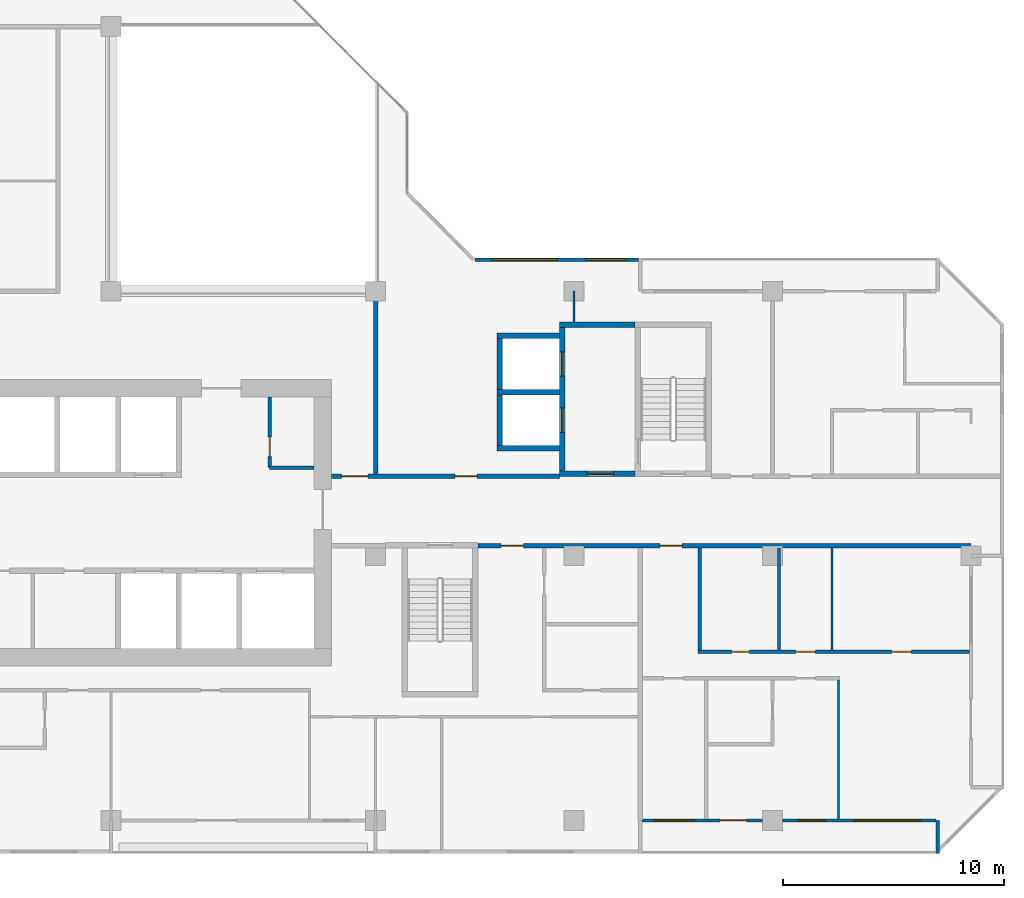
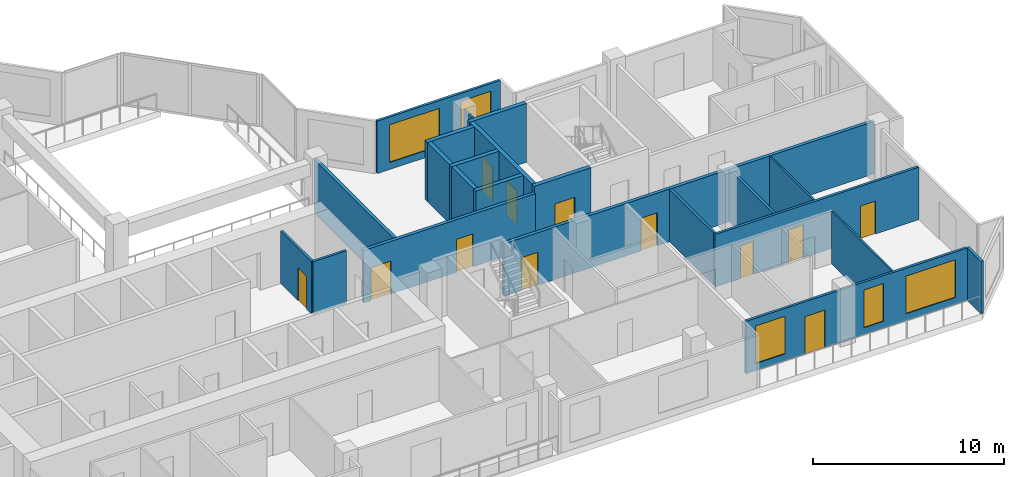
# One storey, part 7 of 15: 22 walls, 12 doors, 5 windows, 17 openings.
"""IFC4 building model written with IfcOpenShell, lengths in metres."""

from ifc_helpers import new_model, si_unit, direction, frame, frame_2d, origin, place, context, subcontext, project, spatial, rectangle, extrude, material, layer, layer_set, type_object, element, fill, save


model = new_model("IFC4")

# Units and contexts
model_context = context("Model", 3, precision=1e-05, world=origin(), true_north=direction((0.0, 1.0)))
body_context = subcontext(model_context, "Body", "Model", "MODEL_VIEW")
ifc_project = project(units=[si_unit("LENGTHUNIT", "METRE"), si_unit("AREAUNIT", "SQUARE_METRE"), si_unit("VOLUMEUNIT", "CUBIC_METRE"), si_unit("PLANEANGLEUNIT", "RADIAN"), si_unit("MASSUNIT", "GRAM", prefix="KILO")], contexts=[model_context])

# Site, building, storey
site_placement = place(None, origin())
site = spatial("IfcSite", under=ifc_project, at=site_placement, CompositionType="ELEMENT")
building_placement = place(site_placement, origin())
building = spatial("IfcBuilding", under=site, at=building_placement, Name="Chenar Terraces", CompositionType="ELEMENT")
storey_placement = place(building_placement, frame((0.0, 0.0, 176.14990234375)))
storey = spatial("IfcBuildingStorey", under=building, at=storey_placement, Name="L40", CompositionType="ELEMENT", Elevation=176.14990234375)

# Wall, opening, door
ifc_material_1 = material(Name="Gypsum board on steel studs", Category="steel")
ifc_layer_1 = layer(ifc_material_1, 0.14990234375)
ifc_layer_set_1 = layer_set([ifc_layer_1], Name="Gypsum board on steel studs")
wall_type_1 = type_object("IfcWallType", Name="Core partition 150 gypsum board", PredefinedType="PARTITIONING", material=ifc_layer_set_1)
wall_1_placement = place(storey_placement, frame((31.199951171875, 16.0, 0.0), z_axis=(0.0, 0.0, 1.0), x_axis=(0.0, 1.0, 0.0)))
wall_1 = element("IfcWall", 1, at=wall_1_placement, inside=storey, type_object=wall_type_1, Name="Core partition CP1 vestibule room west wall", PredefinedType="PARTITIONING", context=body_context, shape_type="SweptSolid", body=[
    extrude(rectangle(XDim=3.199951171875, YDim=0.14990234375, at=frame_2d((1.60009765625, 0.0))), origin(), (0.0, 0.0, 1.0), 3.35009765625),
])
opening_1_placement = place(wall_1_placement, frame((0.5, 0.0, 0.0)))
opening_1 = element("IfcOpeningElement", 2, at=opening_1_placement, cuts=wall_1, Name="Opening DL40-C15", PredefinedType="OPENING", context=body_context, shape_type="SweptSolid", body=[
    extrude(rectangle(XDim=0.89990234375, YDim=2.10009765625, at=frame_2d((0.449951171875, 1.050048828125))), frame((0.0, 0.0849609375, 0.0), z_axis=(0.0, -1.0, 0.0), x_axis=(1.0, 0.0, 0.0)), (0.0, 0.0, 1.0), 0.169921875),
])
ifc_material_2 = material(Name="Steel-framed fire-resisting door leaf", Category="steel")
door_type_1 = type_object("IfcDoorType", Name="Riser fire door FD60 900 x 2100", OperationType="SINGLE_SWING_LEFT", PredefinedType="DOOR", material=ifc_material_2)
door_1_placement = place(opening_1_placement, frame((0.89990234375, 0.0, 0.0), z_axis=(0.0, 0.0, 1.0), x_axis=(-1.0, 0.0, 0.0)))
door_1 = element("IfcDoor", 3, at=door_1_placement, inside=storey, type_object=door_type_1, Name="Core room door DL40-C15", OperationType="SINGLE_SWING_RIGHT", OverallHeight=2.10009765625, OverallWidth=0.89990234375, PredefinedType="DOOR", context=body_context, shape_type="SweptSolid", body=[
    extrude(rectangle(XDim=0.89990234375, YDim=2.10009765625, at=frame_2d((0.449951171875, 1.050048828125))), frame((0.0, 0.02490234375, 0.0), z_axis=(0.0, -1.0, 0.0), x_axis=(1.0, 0.0, 0.0)), (0.0, 0.0, 1.0), 0.050048828125),
])
fill(opening_1, door_1)

# Wall
wall_2_placement = place(storey_placement, frame((31.199951171875, 16.0, 0.0), z_axis=(0.0, 0.0, 1.0), x_axis=(1.0, 0.0, 0.0)))
element("IfcWall", 4, at=wall_2_placement, inside=storey, type_object=wall_type_1, Name="Core partition CP1 vestibule room south wall", PredefinedType="PARTITIONING", context=body_context, shape_type="SweptSolid", body=[
    extrude(rectangle(XDim=2.0, YDim=0.14990234375, at=frame_2d((1.0, 0.0))), origin(), (0.0, 0.0, 1.0), 3.35009765625),
])

# Wall, opening, door
ifc_material_3 = material(Name="Concrete C60/75", Category="concrete")
ifc_layer_2 = layer(ifc_material_3, 0.25)
ifc_layer_set_2 = layer_set([ifc_layer_2], Name="Concrete C60/75")
wall_type_2 = type_object("IfcWallType", Name="Core wall 250 Concrete C60/75", PredefinedType="SHEAR", material=ifc_layer_set_2)
wall_3_placement = place(storey_placement, frame((44.35009765625, 15.72509765625, 0.0), z_axis=(0.0, 0.0, 1.0), x_axis=(1.0, 0.0, 0.0)))
wall_3 = element("IfcWall", 5, at=wall_3_placement, inside=storey, type_object=wall_type_2, Name="Core wall F3_LS L40", PredefinedType="SHEAR", context=body_context, shape_type="SweptSolid", body=[
    extrude(rectangle(XDim=3.4248046875, YDim=0.25, at=frame_2d((1.71240234375, 0.0))), origin(), (0.0, 0.0, 1.0), 3.75),
])
opening_2_placement = place(wall_3_placement, frame((1.25, 0.0, 0.0)))
opening_2 = element("IfcOpeningElement", 6, at=opening_2_placement, cuts=wall_3, Name="Opening DL40-C10", PredefinedType="OPENING", context=body_context, shape_type="SweptSolid", body=[
    extrude(rectangle(XDim=1.199951171875, YDim=2.199951171875, at=frame_2d((0.60009765625, 1.10009765625))), frame((0.0, 0.135009765625, 0.0), z_axis=(0.0, -1.0, 0.0), x_axis=(1.0, 0.0, 0.0)), (0.0, 0.0, 1.0), 0.27001953125),
])
ifc_material_4 = material(Name="Steel-framed fire-resisting door leaf", Category="steel")
door_type_2 = type_object("IfcDoorType", Name="Lobby fire door FD60 1200 x 2200", OperationType="SINGLE_SWING_LEFT", PredefinedType="DOOR", material=ifc_material_4)
door_2_placement = place(opening_2_placement, origin())
door_2 = element("IfcDoor", 7, at=door_2_placement, inside=storey, type_object=door_type_2, Name="Core door DL40-C10", OperationType="SINGLE_SWING_RIGHT", OverallHeight=2.199951171875, OverallWidth=1.199951171875, PredefinedType="DOOR", context=body_context, shape_type="SweptSolid", body=[
    extrude(rectangle(XDim=1.199951171875, YDim=2.199951171875, at=frame_2d((0.60009765625, 1.10009765625))), frame((0.0, 0.02490234375, 0.0), z_axis=(0.0, -1.0, 0.0), x_axis=(1.0, 0.0, 0.0)), (0.0, 0.0, 1.0), 0.050048828125),
])
fill(opening_2, door_2)

# Wall
wall_4_placement = place(storey_placement, frame((44.35009765625, 22.47509765625, 0.0), z_axis=(0.0, 0.0, 1.0), x_axis=(1.0, 0.0, 0.0)))
element("IfcWall", 8, at=wall_4_placement, inside=storey, type_object=wall_type_2, Name="Core wall F3_LN L40", PredefinedType="SHEAR", context=body_context, shape_type="SweptSolid", body=[
    extrude(rectangle(XDim=3.4248046875, YDim=0.25, at=frame_2d((1.71240234375, 0.0))), origin(), (0.0, 0.0, 1.0), 3.75),
])

# Wall, openings, doors
wall_5_placement = place(storey_placement, frame((44.47509765625, 15.85009765625, 0.0), z_axis=(0.0, 0.0, 1.0), x_axis=(0.0, 1.0, 0.0)))
wall_5 = element("IfcWall", 9, at=wall_5_placement, inside=storey, type_object=wall_type_2, Name="Core wall F3_LW L40", PredefinedType="SHEAR", context=body_context, shape_type="SweptSolid", body=[
    extrude(rectangle(XDim=6.5, YDim=0.25, at=frame_2d((3.25, 0.0))), origin(), (0.0, 0.0, 1.0), 3.75),
])
opening_3_placement = place(wall_5_placement, frame((1.75, 0.0, 0.0)))
opening_3 = element("IfcOpeningElement", 10, at=opening_3_placement, cuts=wall_5, Name="Opening DL40-LD8", PredefinedType="OPENING", context=body_context, shape_type="SweptSolid", body=[
    extrude(rectangle(XDim=1.10009765625, YDim=2.199951171875, at=frame_2d((0.550048828125, 1.10009765625))), frame((0.0, 0.135009765625, 0.0), z_axis=(0.0, -1.0, 0.0), x_axis=(1.0, 0.0, 0.0)), (0.0, 0.0, 1.0), 0.27001953125),
])
opening_4_placement = place(wall_5_placement, frame((4.300048828125, 0.0, 0.0)))
opening_4 = element("IfcOpeningElement", 11, at=opening_4_placement, cuts=wall_5, Name="Opening DL40-LD9", PredefinedType="OPENING", context=body_context, shape_type="SweptSolid", body=[
    extrude(rectangle(XDim=1.10009765625, YDim=2.199951171875, at=frame_2d((0.550048828125, 1.10009765625))), frame((0.0, 0.135009765625, 0.0), z_axis=(0.0, -1.0, 0.0), x_axis=(1.0, 0.0, 0.0)), (0.0, 0.0, 1.0), 0.27001953125),
])
ifc_material_5 = material(Name="Stainless steel", Category="steel")
door_type_3 = type_object("IfcDoorType", Name="Lift landing door 1100 x 2200 sliding", OperationType="DOUBLE_DOOR_SLIDING", PredefinedType="DOOR", material=ifc_material_5)
door_3_placement = place(opening_3_placement, origin())
door_3 = element("IfcDoor", 12, at=door_3_placement, inside=storey, type_object=door_type_3, Name="Landing door F3", OperationType="DOUBLE_DOOR_SLIDING", OverallHeight=2.199951171875, OverallWidth=1.10009765625, PredefinedType="DOOR", context=body_context, shape_type="SweptSolid", body=[
    extrude(rectangle(XDim=1.10009765625, YDim=2.199951171875, at=frame_2d((0.550048828125, 1.10009765625))), frame((0.0, 0.02490234375, 0.0), z_axis=(0.0, -1.0, 0.0), x_axis=(1.0, 0.0, 0.0)), (0.0, 0.0, 1.0), 0.050048828125),
])
fill(opening_3, door_3)
door_4_placement = place(opening_4_placement, origin())
door_4 = element("IfcDoor", 13, at=door_4_placement, inside=storey, type_object=door_type_3, Name="Landing door F4", OperationType="DOUBLE_DOOR_SLIDING", OverallHeight=2.199951171875, OverallWidth=1.10009765625, PredefinedType="DOOR", context=body_context, shape_type="SweptSolid", body=[
    extrude(rectangle(XDim=1.10009765625, YDim=2.199951171875, at=frame_2d((0.550048828125, 1.10009765625))), frame((0.0, 0.02490234375, 0.0), z_axis=(0.0, -1.0, 0.0), x_axis=(1.0, 0.0, 0.0)), (0.0, 0.0, 1.0), 0.050048828125),
])
fill(opening_4, door_4)

# Walls
for number, where, z_axis, x_axis, name in (
    (14, (41.5, 16.875, 0.0), (0.0, 0.0, 1.0), (1.0, 0.0, 0.0), "Core wall F3_SS L40"),
    (15, (41.5, 19.425048828125, 0.0), (0.0, 0.0, 1.0), (1.0, 0.0, 0.0), "Core wall F3_SM L40"),
    (16, (41.5, 21.97509765625, 0.0), (0.0, 0.0, 1.0), (1.0, 0.0, 0.0), "Core wall F4_SN L40"),
):
    element("IfcWall", number, at=place(storey_placement, frame(where, z_axis=z_axis, x_axis=x_axis)), inside=storey, type_object=wall_type_2, Name=name, PredefinedType="SHEAR", context=body_context, shape_type="SweptSolid", body=[
        extrude(rectangle(XDim=2.85009765625, YDim=0.25, at=frame_2d((1.425048828125, 0.0))), origin(), (0.0, 0.0, 1.0), 3.75),
    ])
for number, where, z_axis, x_axis, name in (
    (17, (41.625, 17.0, 0.0), (0.0, 0.0, 1.0), (0.0, 1.0, 0.0), "Core wall F3_SW L40"),
    (18, (41.625, 19.550048828125, 0.0), (0.0, 0.0, 1.0), (0.0, 1.0, 0.0), "Core wall F4_SW L40"),
):
    element("IfcWall", number, at=place(storey_placement, frame(where, z_axis=z_axis, x_axis=x_axis)), inside=storey, type_object=wall_type_2, Name=name, PredefinedType="SHEAR", context=body_context, shape_type="SweptSolid", body=[
        extrude(rectangle(XDim=2.300048828125, YDim=0.25, at=frame_2d((1.14990234375, 0.0))), origin(), (0.0, 0.0, 1.0), 3.75),
    ])

# Wall, openings, doors
ifc_material_6 = material(Name="Gypsum board on steel studs with fire boards", Category="steel")
ifc_layer_3 = layer(ifc_material_6, 0.199951171875)
ifc_layer_set_3 = layer_set([ifc_layer_3], Name="Gypsum board on steel studs with fire boards")
wall_type_3 = type_object("IfcWallType", Name="Corridor wall 200", PredefinedType="PARTITIONING", material=ifc_layer_set_3)
wall_6_placement = place(storey_placement, frame((34.0, 15.60009765625, 0.0), z_axis=(0.0, 0.0, 1.0), x_axis=(1.0, 0.0, 0.0)))
wall_6 = element("IfcWall", 19, at=wall_6_placement, inside=storey, type_object=wall_type_3, Name="Partition L40-062", PredefinedType="PARTITIONING", context=body_context, shape_type="SweptSolid", body=[
    extrude(rectangle(XDim=10.35009765625, YDim=0.199951171875, at=frame_2d((5.175048828125, 0.0))), origin(), (0.0, 0.0, 1.0), 3.35009765625),
])
opening_5_placement = place(wall_6_placement, frame((5.60009765625, 0.0, 0.0)))
opening_5 = element("IfcOpeningElement", 20, at=opening_5_placement, cuts=wall_6, Name="Opening DL40-3", PredefinedType="OPENING", context=body_context, shape_type="SweptSolid", body=[
    extrude(rectangle(XDim=1.0, YDim=2.10009765625, at=frame_2d((0.5, 1.050048828125))), frame((0.0, 0.10986328125, 0.0), z_axis=(0.0, -1.0, 0.0), x_axis=(1.0, 0.0, 0.0)), (0.0, 0.0, 1.0), 0.219970703125),
])
opening_6_placement = place(wall_6_placement, frame((0.449951171875, 0.0, 0.0)))
opening_6 = element("IfcOpeningElement", 21, at=opening_6_placement, cuts=wall_6, Name="Opening DL40-38", PredefinedType="OPENING", context=body_context, shape_type="SweptSolid", body=[
    extrude(rectangle(XDim=1.199951171875, YDim=2.10009765625, at=frame_2d((0.60009765625, 1.050048828125))), frame((0.0, 0.10986328125, 0.0), z_axis=(0.0, -1.0, 0.0), x_axis=(1.0, 0.0, 0.0)), (0.0, 0.0, 1.0), 0.219970703125),
])
ifc_material_7 = material(Name="Steel-framed fire-resisting door leaf", Category="steel")
door_type_4 = type_object("IfcDoorType", Name="Fire door FD60 1000 x 2100", OperationType="SINGLE_SWING_LEFT", PredefinedType="DOOR", material=ifc_material_7)
door_5_placement = place(opening_5_placement, origin())
door_5 = element("IfcDoor", 22, at=door_5_placement, inside=storey, type_object=door_type_4, Name="Door DL40-3", OperationType="SINGLE_SWING_RIGHT", OverallHeight=2.10009765625, OverallWidth=1.0, PredefinedType="DOOR", context=body_context, shape_type="SweptSolid", body=[
    extrude(rectangle(XDim=1.0, YDim=2.10009765625, at=frame_2d((0.5, 1.050048828125))), frame((0.0, 0.02490234375, 0.0), z_axis=(0.0, -1.0, 0.0), x_axis=(1.0, 0.0, 0.0)), (0.0, 0.0, 1.0), 0.050048828125),
])
fill(opening_5, door_5)
ifc_material_8 = material(Name="Steel-framed fire-resisting door leaf", Category="steel")
door_type_5 = type_object("IfcDoorType", Name="Fire door FD60 1200 x 2100", OperationType="SINGLE_SWING_LEFT", PredefinedType="DOOR", material=ifc_material_8)
door_6_placement = place(opening_6_placement, origin())
door_6 = element("IfcDoor", 23, at=door_6_placement, inside=storey, type_object=door_type_5, Name="Door DL40-38", OperationType="SINGLE_SWING_RIGHT", OverallHeight=2.10009765625, OverallWidth=1.199951171875, PredefinedType="DOOR", context=body_context, shape_type="SweptSolid", body=[
    extrude(rectangle(XDim=1.199951171875, YDim=2.10009765625, at=frame_2d((0.60009765625, 1.050048828125))), frame((0.0, 0.02490234375, 0.0), z_axis=(0.0, -1.0, 0.0), x_axis=(1.0, 0.0, 0.0)), (0.0, 0.0, 1.0), 0.050048828125),
])
fill(opening_6, door_6)

# Wall
wall_7_placement = place(storey_placement, frame((36.0, 15.699951171875, 0.0), z_axis=(0.0, 0.0, 1.0), x_axis=(0.0, 1.0, 0.0)))
element("IfcWall", 24, at=wall_7_placement, inside=storey, type_object=wall_type_3, Name="Partition L40-064", PredefinedType="PARTITIONING", context=body_context, shape_type="SweptSolid", body=[
    extrude(rectangle(XDim=8.300048828125, YDim=0.199951171875, at=frame_2d((4.14990234375, 0.0))), origin(), (0.0, 0.0, 1.0), 3.35009765625),
])

# Wall, openings, doors
wall_8_placement = place(storey_placement, frame((40.64990234375, 12.449951171875, 0.0), z_axis=(0.0, 0.0, 1.0), x_axis=(1.0, 0.0, 0.0)))
wall_8 = element("IfcWall", 25, at=wall_8_placement, inside=storey, type_object=wall_type_3, Name="Partition L40-066", PredefinedType="PARTITIONING", context=body_context, shape_type="SweptSolid", body=[
    extrude(rectangle(XDim=22.35009765625, YDim=0.199951171875, at=frame_2d((11.175048828125, 0.0))), origin(), (0.0, 0.0, 1.0), 3.35009765625),
])
opening_7_placement = place(wall_8_placement, frame((8.25, 0.0, 0.0)))
opening_7 = element("IfcOpeningElement", 26, at=opening_7_placement, cuts=wall_8, Name="Opening DL40-13", PredefinedType="OPENING", context=body_context, shape_type="SweptSolid", body=[
    extrude(rectangle(XDim=1.0, YDim=2.10009765625, at=frame_2d((0.5, 1.050048828125))), frame((0.0, 0.10986328125, 0.0), z_axis=(0.0, -1.0, 0.0), x_axis=(1.0, 0.0, 0.0)), (0.0, 0.0, 1.0), 0.219970703125),
])
opening_8_placement = place(wall_8_placement, frame((1.050048828125, 0.0, 0.0)))
opening_8 = element("IfcOpeningElement", 27, at=opening_8_placement, cuts=wall_8, Name="Opening DL40-53", PredefinedType="OPENING", context=body_context, shape_type="SweptSolid", body=[
    extrude(rectangle(XDim=1.0, YDim=2.10009765625, at=frame_2d((0.5, 1.050048828125))), frame((0.0, 0.10986328125, 0.0), z_axis=(0.0, -1.0, 0.0), x_axis=(1.0, 0.0, 0.0)), (0.0, 0.0, 1.0), 0.219970703125),
])
ifc_material_9 = material(Name="Steel-framed fire-resisting door leaf", Category="steel")
door_type_6 = type_object("IfcDoorType", Name="Fire door FD30S 1000 x 2100", OperationType="SINGLE_SWING_LEFT", PredefinedType="DOOR", material=ifc_material_9)
door_7_placement = place(opening_7_placement, frame((1.0, 0.0, 0.0), z_axis=(0.0, 0.0, 1.0), x_axis=(-1.0, 0.0, 0.0)))
door_7 = element("IfcDoor", 28, at=door_7_placement, inside=storey, type_object=door_type_6, Name="Door DL40-13", OperationType="SINGLE_SWING_LEFT", OverallHeight=2.10009765625, OverallWidth=1.0, PredefinedType="DOOR", context=body_context, shape_type="SweptSolid", body=[
    extrude(rectangle(XDim=1.0, YDim=2.10009765625, at=frame_2d((0.5, 1.050048828125))), frame((0.0, 0.02490234375, 0.0), z_axis=(0.0, -1.0, 0.0), x_axis=(1.0, 0.0, 0.0)), (0.0, 0.0, 1.0), 0.050048828125),
])
fill(opening_7, door_7)
door_8_placement = place(opening_8_placement, origin())
door_8 = element("IfcDoor", 29, at=door_8_placement, inside=storey, type_object=door_type_6, Name="Door DL40-53", OperationType="SINGLE_SWING_LEFT", OverallHeight=2.10009765625, OverallWidth=1.0, PredefinedType="DOOR", context=body_context, shape_type="SweptSolid", body=[
    extrude(rectangle(XDim=1.0, YDim=2.10009765625, at=frame_2d((0.5, 1.050048828125))), frame((0.0, 0.02490234375, 0.0), z_axis=(0.0, -1.0, 0.0), x_axis=(1.0, 0.0, 0.0)), (0.0, 0.0, 1.0), 0.050048828125),
])
fill(opening_8, door_8)

# Wall, openings, windows
ifc_material_10 = material(Name="Aluminium framed glazing", Category="aluminium")
ifc_layer_4 = layer(ifc_material_10, 0.14990234375)
ifc_layer_set_4 = layer_set([ifc_layer_4], Name="Aluminium framed glazing")
wall_type_4 = type_object("IfcWallType", Name="Glazed flush facade wall 150", PredefinedType="SOLIDWALL", material=ifc_layer_set_4)
wall_9_placement = place(storey_placement, frame((47.925048828125, 25.425048828125, 0.0), z_axis=(0.0, 0.0, 1.0), x_axis=(-1.0, 0.0, 0.0)))
wall_9 = element("IfcWall", 30, at=wall_9_placement, inside=storey, type_object=wall_type_4, Name="Glazed flush facade wall", PredefinedType="SOLIDWALL", context=body_context, shape_type="SweptSolid", body=[
    extrude(rectangle(XDim=7.425048828125, YDim=0.14990234375, at=frame_2d((3.71240234375, 0.0))), origin(), (0.0, 0.0, 1.0), 3.35009765625),
])
opening_9_placement = place(wall_9_placement, frame((0.5625, 0.0, 0.449951171875)))
opening_9 = element("IfcOpeningElement", 31, at=opening_9_placement, cuts=wall_9, Name="Opening W180x240", PredefinedType="OPENING", context=body_context, shape_type="SweptSolid", body=[
    extrude(rectangle(XDim=1.800048828125, YDim=2.39990234375, at=frame_2d((0.89990234375, 1.199951171875))), frame((0.0, 0.0849609375, 0.0), z_axis=(0.0, -1.0, 0.0), x_axis=(1.0, 0.0, 0.0)), (0.0, 0.0, 1.0), 0.169921875),
])
opening_10_placement = place(wall_9_placement, frame((3.675048828125, 0.0, 0.449951171875)))
opening_10 = element("IfcOpeningElement", 32, at=opening_10_placement, cuts=wall_9, Name="Opening W300x240", PredefinedType="OPENING", context=body_context, shape_type="SweptSolid", body=[
    extrude(rectangle(XDim=3.0, YDim=2.39990234375, at=frame_2d((1.5, 1.199951171875))), frame((0.0, 0.0849609375, 0.0), z_axis=(0.0, -1.0, 0.0), x_axis=(1.0, 0.0, 0.0)), (0.0, 0.0, 1.0), 0.169921875),
])
ifc_material_11 = material(Name="Low emissivity double glazing, aluminium frame", Category="aluminium")
window_type_1 = type_object("IfcWindowType", Name="Fixed light 1800 x 2400", PartitioningType="SINGLE_PANEL", PredefinedType="WINDOW", material=ifc_material_11)
window_1_placement = place(opening_9_placement, origin())
window_1 = element("IfcWindow", 33, at=window_1_placement, inside=storey, type_object=window_type_1, Name="Window", OverallHeight=2.39990234375, OverallWidth=1.800048828125, PartitioningType="SINGLE_PANEL", PredefinedType="WINDOW", context=body_context, shape_type="SweptSolid", body=[
    extrude(rectangle(XDim=1.800048828125, YDim=2.39990234375, at=frame_2d((0.89990234375, 1.199951171875))), frame((0.0, 0.030029296875, 0.0), z_axis=(0.0, -1.0, 0.0), x_axis=(1.0, 0.0, 0.0)), (0.0, 0.0, 1.0), 0.06005859375),
])
fill(opening_9, window_1)
ifc_material_12 = material(Name="Low emissivity double glazing, aluminium frame", Category="aluminium")
window_type_2 = type_object("IfcWindowType", Name="Fixed light 3000 x 2400", PartitioningType="SINGLE_PANEL", PredefinedType="WINDOW", material=ifc_material_12)
window_2_placement = place(opening_10_placement, origin())
window_2 = element("IfcWindow", 34, at=window_2_placement, inside=storey, type_object=window_type_2, Name="Window", OverallHeight=2.39990234375, OverallWidth=3.0, PartitioningType="SINGLE_PANEL", PredefinedType="WINDOW", context=body_context, shape_type="SweptSolid", body=[
    extrude(rectangle(XDim=3.0, YDim=2.39990234375, at=frame_2d((1.5, 1.199951171875))), frame((0.0, 0.030029296875, 0.0), z_axis=(0.0, -1.0, 0.0), x_axis=(1.0, 0.0, 0.0)), (0.0, 0.0, 1.0), 0.06005859375),
])
fill(opening_10, window_2)

# Wall, openings, windows, door
ifc_material_13 = material(Name="Aluminium framed glazing", Category="aluminium")
ifc_layer_5 = layer(ifc_material_13, 0.14990234375)
ifc_layer_set_5 = layer_set([ifc_layer_5], Name="Aluminium framed glazing")
wall_type_5 = type_object("IfcWallType", Name="Glazed loggia back wall 150", PredefinedType="SOLIDWALL", material=ifc_layer_set_5)
wall_10_placement = place(storey_placement, frame((48.074951171875, 0.0, 0.0), z_axis=(0.0, 0.0, 1.0), x_axis=(1.0, 0.0, 0.0)))
wall_10 = element("IfcWall", 35, at=wall_10_placement, inside=storey, type_object=wall_type_5, Name="Glazed loggia back wall", PredefinedType="SOLIDWALL", context=body_context, shape_type="SweptSolid", body=[
    extrude(rectangle(XDim=13.35009765625, YDim=0.14990234375, at=frame_2d((6.675048828125, 0.0))), origin(), (0.0, 0.0, 1.0), 3.35009765625),
])
opening_11_placement = place(wall_10_placement, frame((0.5625, 0.0, 0.449951171875)))
opening_11 = element("IfcOpeningElement", 36, at=opening_11_placement, cuts=wall_10, Name="Opening W180x240", PredefinedType="OPENING", context=body_context, shape_type="SweptSolid", body=[
    extrude(rectangle(XDim=1.800048828125, YDim=2.39990234375, at=frame_2d((0.89990234375, 1.199951171875))), frame((0.0, 0.0849609375, 0.0), z_axis=(0.0, -1.0, 0.0), x_axis=(1.0, 0.0, 0.0)), (0.0, 0.0, 1.0), 0.169921875),
])
opening_12_placement = place(wall_10_placement, frame((3.550048828125, 0.0, 0.0)))
opening_12 = element("IfcOpeningElement", 37, at=opening_12_placement, cuts=wall_10, Name="Opening DL40-G7", PredefinedType="OPENING", context=body_context, shape_type="SweptSolid", body=[
    extrude(rectangle(XDim=1.199951171875, YDim=2.39990234375, at=frame_2d((0.60009765625, 1.199951171875))), frame((0.0, 0.0849609375, 0.0), z_axis=(0.0, -1.0, 0.0), x_axis=(1.0, 0.0, 0.0)), (0.0, 0.0, 1.0), 0.169921875),
])
opening_13_placement = place(wall_10_placement, frame((7.10009765625, 0.0, 0.449951171875)))
opening_13 = element("IfcOpeningElement", 38, at=opening_13_placement, cuts=wall_10, Name="Opening W120x240", PredefinedType="OPENING", context=body_context, shape_type="SweptSolid", body=[
    extrude(rectangle(XDim=1.199951171875, YDim=2.39990234375, at=frame_2d((0.60009765625, 1.199951171875))), frame((0.0, 0.0849609375, 0.0), z_axis=(0.0, -1.0, 0.0), x_axis=(1.0, 0.0, 0.0)), (0.0, 0.0, 1.0), 0.169921875),
])
opening_14_placement = place(wall_10_placement, frame((9.637451171875, 0.0, 0.449951171875)))
opening_14 = element("IfcOpeningElement", 39, at=opening_14_placement, cuts=wall_10, Name="Opening W300x240", PredefinedType="OPENING", context=body_context, shape_type="SweptSolid", body=[
    extrude(rectangle(XDim=3.0, YDim=2.39990234375, at=frame_2d((1.5, 1.199951171875))), frame((0.0, 0.0849609375, 0.0), z_axis=(0.0, -1.0, 0.0), x_axis=(1.0, 0.0, 0.0)), (0.0, 0.0, 1.0), 0.169921875),
])
ifc_material_14 = material(Name="Low emissivity double glazing, aluminium frame", Category="aluminium")
window_type_3 = type_object("IfcWindowType", Name="Fixed light 1200 x 2400", PartitioningType="SINGLE_PANEL", PredefinedType="WINDOW", material=ifc_material_14)
window_3_placement = place(opening_13_placement, origin())
window_3 = element("IfcWindow", 40, at=window_3_placement, inside=storey, type_object=window_type_3, Name="Window", OverallHeight=2.39990234375, OverallWidth=1.199951171875, PartitioningType="SINGLE_PANEL", PredefinedType="WINDOW", context=body_context, shape_type="SweptSolid", body=[
    extrude(rectangle(XDim=1.199951171875, YDim=2.39990234375, at=frame_2d((0.60009765625, 1.199951171875))), frame((0.0, 0.030029296875, 0.0), z_axis=(0.0, -1.0, 0.0), x_axis=(1.0, 0.0, 0.0)), (0.0, 0.0, 1.0), 0.06005859375),
])
fill(opening_13, window_3)
window_4_placement = place(opening_11_placement, origin())
window_4 = element("IfcWindow", 41, at=window_4_placement, inside=storey, type_object=window_type_1, Name="Window", OverallHeight=2.39990234375, OverallWidth=1.800048828125, PartitioningType="SINGLE_PANEL", PredefinedType="WINDOW", context=body_context, shape_type="SweptSolid", body=[
    extrude(rectangle(XDim=1.800048828125, YDim=2.39990234375, at=frame_2d((0.89990234375, 1.199951171875))), frame((0.0, 0.030029296875, 0.0), z_axis=(0.0, -1.0, 0.0), x_axis=(1.0, 0.0, 0.0)), (0.0, 0.0, 1.0), 0.06005859375),
])
fill(opening_11, window_4)
window_5_placement = place(opening_14_placement, origin())
window_5 = element("IfcWindow", 42, at=window_5_placement, inside=storey, type_object=window_type_2, Name="Window", OverallHeight=2.39990234375, OverallWidth=3.0, PartitioningType="SINGLE_PANEL", PredefinedType="WINDOW", context=body_context, shape_type="SweptSolid", body=[
    extrude(rectangle(XDim=3.0, YDim=2.39990234375, at=frame_2d((1.5, 1.199951171875))), frame((0.0, 0.030029296875, 0.0), z_axis=(0.0, -1.0, 0.0), x_axis=(1.0, 0.0, 0.0)), (0.0, 0.0, 1.0), 0.06005859375),
])
fill(opening_14, window_5)
ifc_material_15 = material(Name="Low emissivity double glazing, aluminium frame", Category="aluminium")
door_type_7 = type_object("IfcDoorType", Name="Loggia glazed double door 1200 x 2400", OperationType="DOUBLE_DOOR_SINGLE_SWING", PredefinedType="DOOR", material=ifc_material_15)
door_9_placement = place(opening_12_placement, frame((1.199951171875, 0.0, 0.0), z_axis=(0.0, 0.0, 1.0), x_axis=(-1.0, 0.0, 0.0)))
door_9 = element("IfcDoor", 43, at=door_9_placement, inside=storey, type_object=door_type_7, Name="Loggia glazed door", OperationType="DOUBLE_DOOR_SINGLE_SWING", OverallHeight=2.39990234375, OverallWidth=1.199951171875, PredefinedType="DOOR", context=body_context, shape_type="SweptSolid", body=[
    extrude(rectangle(XDim=1.199951171875, YDim=2.39990234375, at=frame_2d((0.60009765625, 1.199951171875))), frame((0.0, 0.02490234375, 0.0), z_axis=(0.0, -1.0, 0.0), x_axis=(1.0, 0.0, 0.0)), (0.0, 0.0, 1.0), 0.050048828125),
])
fill(opening_12, door_9)

# Walls
ifc_material_16 = material(Name="Gypsum board on steel studs", Category="steel")
ifc_layer_6 = layer(ifc_material_16, 0.10009765625)
ifc_layer_set_6 = layer_set([ifc_layer_6], Name="Gypsum board on steel studs")
wall_type_6 = type_object("IfcWallType", Name="Gypsum partition 100", PredefinedType="PARTITIONING", material=ifc_layer_set_6)
wall_11_placement = place(storey_placement, frame((45.0, 22.60009765625, 0.0), z_axis=(0.0, 0.0, 1.0), x_axis=(0.0, 1.0, 0.0)))
element("IfcWall", 44, at=wall_11_placement, inside=storey, type_object=wall_type_6, Name="Partition L40-070", PredefinedType="PARTITIONING", context=body_context, shape_type="SweptSolid", body=[
    extrude(rectangle(XDim=1.39990234375, YDim=0.10009765625, at=frame_2d((0.699951171875, 0.0))), origin(), (0.0, 0.0, 1.0), 3.35009765625),
])
wall_12_placement = place(storey_placement, frame((56.699951171875, 7.72509765625, 0.0), z_axis=(0.0, 0.0, 1.0), x_axis=(0.0, 1.0, 0.0)))
element("IfcWall", 45, at=wall_12_placement, inside=storey, type_object=wall_type_6, Name="Partition L40-082", PredefinedType="PARTITIONING", context=body_context, shape_type="SweptSolid", body=[
    extrude(rectangle(XDim=4.625, YDim=0.10009765625, at=frame_2d((2.3125, 0.0))), origin(), (0.0, 0.0, 1.0), 3.35009765625),
])
wall_13_placement = place(storey_placement, frame((57.0, 0.073974609375, 0.0), z_axis=(0.0, 0.0, 1.0), x_axis=(0.0, 1.0, 0.0)))
element("IfcWall", 46, at=wall_13_placement, inside=storey, type_object=wall_type_6, Name="Partition L40-084", PredefinedType="PARTITIONING", context=body_context, shape_type="SweptSolid", body=[
    extrude(rectangle(XDim=6.301025390625, YDim=0.10009765625, at=frame_2d((3.150390625, 0.0))), origin(), (0.0, 0.0, 1.0), 3.35009765625),
])
ifc_material_17 = material(Name="Terracotta cladding on insulated backing", Category="masonry")
ifc_layer_7 = layer(ifc_material_17, 0.14990234375)
ifc_layer_set_7 = layer_set([ifc_layer_7], Name="Terracotta cladding on insulated backing")
wall_type_7 = type_object("IfcWallType", Name="Loggia return wall 150", PredefinedType="SOLIDWALL", material=ifc_layer_set_7)
wall_14_placement = place(storey_placement, frame((61.5, -1.5, 0.0), z_axis=(0.0, 0.0, 1.0), x_axis=(0.0, 1.0, 0.0)))
element("IfcWall", 47, at=wall_14_placement, inside=storey, type_object=wall_type_7, Name="Loggia return wall", PredefinedType="SOLIDWALL", context=body_context, shape_type="SweptSolid", body=[
    extrude(rectangle(XDim=1.5, YDim=0.14990234375, at=frame_2d((0.75, 0.0))), origin(), (0.0, 0.0, 1.0), 3.35009765625),
])

# Wall, openings, doors
ifc_material_18 = material(Name="Moisture-resistant gypsum board on steel studs", Category="steel")
ifc_layer_8 = layer(ifc_material_18, 0.14990234375)
ifc_layer_set_8 = layer_set([ifc_layer_8], Name="Moisture-resistant gypsum board on steel studs")
wall_type_8 = type_object("IfcWallType", Name="Wet-room partition 150", PredefinedType="PARTITIONING", material=ifc_layer_set_8)
wall_15_placement = place(storey_placement, frame((50.625, 7.64990234375, 0.0), z_axis=(0.0, 0.0, 1.0), x_axis=(1.0, 0.0, 0.0)))
wall_15 = element("IfcWall", 48, at=wall_15_placement, inside=storey, type_object=wall_type_8, Name="Partition L40-073", PredefinedType="PARTITIONING", context=body_context, shape_type="SweptSolid", body=[
    extrude(rectangle(XDim=12.301025390625, YDim=0.14990234375, at=frame_2d((6.150390625, 0.0))), origin(), (0.0, 0.0, 1.0), 3.35009765625),
])
opening_15_placement = place(wall_15_placement, frame((1.52490234375, 0.0, 0.0)))
opening_15 = element("IfcOpeningElement", 49, at=opening_15_placement, cuts=wall_15, Name="Opening DL40-8", PredefinedType="OPENING", context=body_context, shape_type="SweptSolid", body=[
    extrude(rectangle(XDim=0.800048828125, YDim=2.10009765625, at=frame_2d((0.39990234375, 1.050048828125))), frame((0.0, 0.0849609375, 0.0), z_axis=(0.0, -1.0, 0.0), x_axis=(1.0, 0.0, 0.0)), (0.0, 0.0, 1.0), 0.169921875),
])
opening_16_placement = place(wall_15_placement, frame((8.77490234375, 0.0, 0.0)))
opening_16 = element("IfcOpeningElement", 50, at=opening_16_placement, cuts=wall_15, Name="Opening DL40-12", PredefinedType="OPENING", context=body_context, shape_type="SweptSolid", body=[
    extrude(rectangle(XDim=0.89990234375, YDim=2.10009765625, at=frame_2d((0.449951171875, 1.050048828125))), frame((0.0, 0.0849609375, 0.0), z_axis=(0.0, -1.0, 0.0), x_axis=(1.0, 0.0, 0.0)), (0.0, 0.0, 1.0), 0.169921875),
])
opening_17_placement = place(wall_15_placement, frame((4.425048828125, 0.0, 0.0)))
opening_17 = element("IfcOpeningElement", 51, at=opening_17_placement, cuts=wall_15, Name="Opening DL40-14", PredefinedType="OPENING", context=body_context, shape_type="SweptSolid", body=[
    extrude(rectangle(XDim=0.89990234375, YDim=2.10009765625, at=frame_2d((0.449951171875, 1.050048828125))), frame((0.0, 0.0849609375, 0.0), z_axis=(0.0, -1.0, 0.0), x_axis=(1.0, 0.0, 0.0)), (0.0, 0.0, 1.0), 0.169921875),
])
ifc_material_19 = material(Name="Veneered timber door leaf", Category="wood")
door_type_8 = type_object("IfcDoorType", Name="Door 800 x 2100", OperationType="SINGLE_SWING_LEFT", PredefinedType="DOOR", material=ifc_material_19)
door_10_placement = place(opening_15_placement, origin())
door_10 = element("IfcDoor", 52, at=door_10_placement, inside=storey, type_object=door_type_8, Name="Door DL40-8", OperationType="SINGLE_SWING_RIGHT", OverallHeight=2.10009765625, OverallWidth=0.800048828125, PredefinedType="DOOR", context=body_context, shape_type="SweptSolid", body=[
    extrude(rectangle(XDim=0.800048828125, YDim=2.10009765625, at=frame_2d((0.39990234375, 1.050048828125))), frame((0.0, 0.02490234375, 0.0), z_axis=(0.0, -1.0, 0.0), x_axis=(1.0, 0.0, 0.0)), (0.0, 0.0, 1.0), 0.050048828125),
])
fill(opening_15, door_10)
ifc_material_20 = material(Name="Veneered timber door leaf", Category="wood")
door_type_9 = type_object("IfcDoorType", Name="Door 900 x 2100", OperationType="SINGLE_SWING_LEFT", PredefinedType="DOOR", material=ifc_material_20)
door_11_placement = place(opening_16_placement, origin())
door_11 = element("IfcDoor", 53, at=door_11_placement, inside=storey, type_object=door_type_9, Name="Door DL40-12", OperationType="SINGLE_SWING_RIGHT", OverallHeight=2.10009765625, OverallWidth=0.89990234375, PredefinedType="DOOR", context=body_context, shape_type="SweptSolid", body=[
    extrude(rectangle(XDim=0.89990234375, YDim=2.10009765625, at=frame_2d((0.449951171875, 1.050048828125))), frame((0.0, 0.02490234375, 0.0), z_axis=(0.0, -1.0, 0.0), x_axis=(1.0, 0.0, 0.0)), (0.0, 0.0, 1.0), 0.050048828125),
])
fill(opening_16, door_11)
door_12_placement = place(opening_17_placement, origin())
door_12 = element("IfcDoor", 54, at=door_12_placement, inside=storey, type_object=door_type_9, Name="Door DL40-14", OperationType="SINGLE_SWING_RIGHT", OverallHeight=2.10009765625, OverallWidth=0.89990234375, PredefinedType="DOOR", context=body_context, shape_type="SweptSolid", body=[
    extrude(rectangle(XDim=0.89990234375, YDim=2.10009765625, at=frame_2d((0.449951171875, 1.050048828125))), frame((0.0, 0.02490234375, 0.0), z_axis=(0.0, -1.0, 0.0), x_axis=(1.0, 0.0, 0.0)), (0.0, 0.0, 1.0), 0.050048828125),
])
fill(opening_17, door_12)

# Walls
for number, where, z_axis, x_axis, name in (
    (55, (50.699951171875, 7.72509765625, 0.0), (0.0, 0.0, 1.0), (0.0, 1.0, 0.0), "Partition L40-074"),
    (56, (54.300048828125, 7.72509765625, 0.0), (0.0, 0.0, 1.0), (0.0, 1.0, 0.0), "Partition L40-080"),
):
    element("IfcWall", number, at=place(storey_placement, frame(where, z_axis=z_axis, x_axis=x_axis)), inside=storey, type_object=wall_type_8, Name=name, PredefinedType="PARTITIONING", context=body_context, shape_type="SweptSolid", body=[
        extrude(rectangle(XDim=4.625, YDim=0.14990234375, at=frame_2d((2.3125, 0.0))), origin(), (0.0, 0.0, 1.0), 3.35009765625),
    ])

save(model, "model.ifc")
